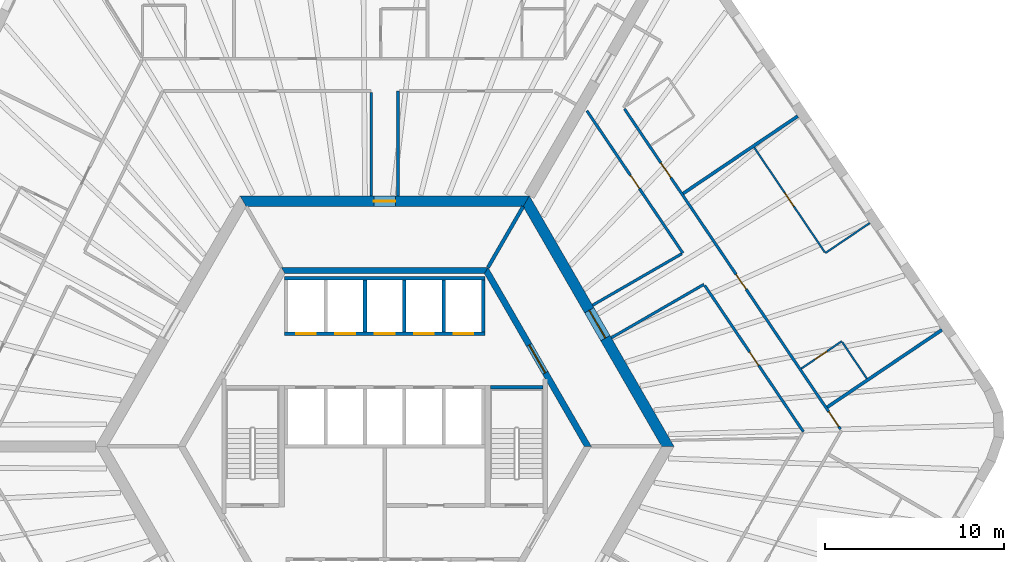
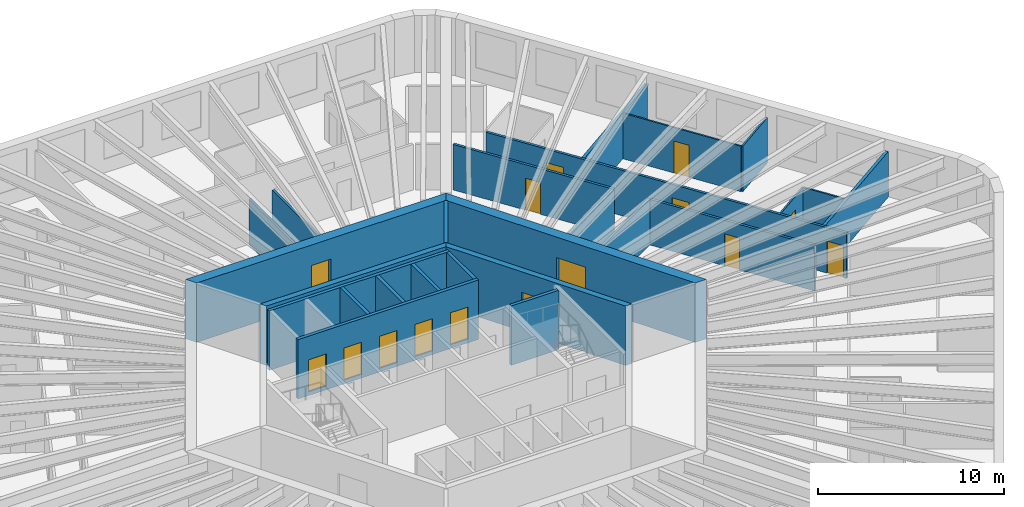
# One storey, part 9 of 12: 25 walls, 15 doors, 15 openings.
"""IFC4 building model written with IfcOpenShell, lengths in metres."""

from ifc_helpers import new_model, si_unit, direction, frame, frame_2d, origin, place, context, subcontext, project, spatial, polyline, rectangle, outline, extrude, material, layer, layer_set, type_object, element, fill, save


model = new_model("IFC4")

# Units and contexts
model_context = context("Model", 3, precision=1e-05, world=origin(), true_north=direction((0.0, 1.0)))
body_context = subcontext(model_context, "Body", "Model", "MODEL_VIEW")
ifc_project = project(units=[si_unit("LENGTHUNIT", "METRE"), si_unit("AREAUNIT", "SQUARE_METRE"), si_unit("VOLUMEUNIT", "CUBIC_METRE"), si_unit("PLANEANGLEUNIT", "RADIAN"), si_unit("MASSUNIT", "GRAM", prefix="KILO")], contexts=[model_context])

# Site, building, storey
site_placement = place(None, origin())
site = spatial("IfcSite", under=ifc_project, at=site_placement, CompositionType="ELEMENT")
building_placement = place(site_placement, origin())
building = spatial("IfcBuilding", under=site, at=building_placement, Name="Tarnside Tower", CompositionType="ELEMENT")
storey_placement = place(building_placement, frame((0.0, 0.0, 84.300048828125)))
storey = spatial("IfcBuildingStorey", under=building, at=storey_placement, Name="L18", CompositionType="ELEMENT", Elevation=84.300048828125)

# Wall, opening, door
ifc_material_1 = material(Name="Gypsum board partition on steel studs", Category="steel")
ifc_layer_1 = layer(ifc_material_1, 0.10009765625)
ifc_layer_set_1 = layer_set([ifc_layer_1], Name="Bathroom wall 100")
wall_type_1 = type_object("IfcWallType", Name="Bathroom wall 100", PredefinedType="PARTITIONING", material=ifc_layer_set_1)
wall_1_placement = place(storey_placement, frame((23.2734375, 4.34619140625, 0.0), z_axis=(0.0, 0.0, 1.0), x_axis=(0.829005477618, 0.559240483226, 0.0)))
wall_1 = element("IfcWall", 1, at=wall_1_placement, inside=storey, type_object=wall_type_1, Name="Bathroom wall 05150", PredefinedType="PARTITIONING", context=body_context, shape_type="SweptSolid", body=[
    extrude(rectangle(XDim=2.72509765625, YDim=0.10009765625, at=frame_2d((1.362548828125, 0.0))), origin(), (0.0, 0.0, 1.0), 2.98779296875),
])
opening_1_placement = place(wall_1_placement, frame((0.925048828125, 0.0, 0.0)))
opening_1 = element("IfcOpeningElement", 2, at=opening_1_placement, cuts=wall_1, Name="Opening D-B1", PredefinedType="OPENING", context=body_context, shape_type="SweptSolid", body=[
    extrude(rectangle(XDim=0.800048828125, YDim=2.10009765625, at=frame_2d((0.39990234375, 1.050048828125))), frame((0.0, 0.06005859375, 0.0), z_axis=(0.0, -1.0, 0.0), x_axis=(1.0, 0.0, 0.0)), (0.0, 0.0, 1.0), 0.1201171875),
])
ifc_material_2 = material(Name="Timber door leaf", Category="wood")
door_type_1 = type_object("IfcDoorType", Name="Bathroom door 800", OperationType="NOTDEFINED", PredefinedType="DOOR", material=ifc_material_2)
door_1_placement = place(opening_1_placement, origin())
door_1 = element("IfcDoor", 3, at=door_1_placement, inside=storey, type_object=door_type_1, Name="Bathroom door 05037", OperationType="SINGLE_SWING_RIGHT", OverallHeight=2.10009765625, OverallWidth=0.800048828125, PredefinedType="DOOR", context=body_context, shape_type="SweptSolid", body=[
    extrude(rectangle(XDim=0.800048828125, YDim=2.10009765625, at=frame_2d((0.39990234375, 1.050048828125))), frame((0.0, 0.02490234375, 0.0), z_axis=(0.0, -1.0, 0.0), x_axis=(1.0, 0.0, 0.0)), (0.0, 0.0, 1.0), 0.050048828125),
])
fill(opening_1, door_1)

# Wall
wall_2_placement = place(storey_placement, frame((25.560546875, 5.82861328125, 0.0), z_axis=(0.0, 0.0, 1.0), x_axis=(0.559249542518, -0.82899936622, 0.0)))
element("IfcWall", 4, at=wall_2_placement, inside=storey, type_object=wall_type_1, Name="Bathroom wall 05151", PredefinedType="PARTITIONING", context=body_context, shape_type="SweptSolid", body=[
    extrude(rectangle(XDim=2.4599609375, YDim=0.10009765625, at=frame_2d((1.22998046875, 0.0))), origin(), (0.0, 0.0, 1.0), 2.98779296875),
])

# Wall, opening, door
ifc_material_3 = material(Name="Concrete C50/60", Category="concrete")
ifc_layer_2 = layer(ifc_material_3, 0.35009765625)
ifc_layer_set_2 = layer_set([ifc_layer_2], Name="Core block wall 350 C50/60")
wall_type_2 = type_object("IfcWallType", Name="Core block wall 350 C50/60", PredefinedType="SHEAR", material=ifc_layer_set_2)
wall_3_placement = place(storey_placement, frame((11.344970703125, 0.0, -0.150146484375), z_axis=(0.0, 0.0, 1.0), x_axis=(-0.499995046907, 0.866028263435, 0.0)))
wall_3 = element("IfcWall", 5, at=wall_3_placement, inside=storey, type_object=wall_type_2, Name="L18 core block wall face 6", PredefinedType="SHEAR", context=body_context, shape_type="SweptSolid", body=[
    extrude(outline(polyline([(-0.10107421875, -0.175048828125), (11.44580078125, -0.175048828125), (11.24365234375, 0.175048828125), (0.10107421875, 0.175048828125), (-0.10107421875, -0.175048828125)])), origin(), (0.0, 0.0, 1.0), 3.900146484375),
])
opening_2_placement = place(wall_3_placement, frame((4.74365234375, 0.0, 0.14990234375)))
opening_2 = element("IfcOpeningElement", 6, at=opening_2_placement, cuts=wall_3, Name="Opening CD-LOB", PredefinedType="OPENING", context=body_context, shape_type="SweptSolid", body=[
    extrude(rectangle(XDim=1.800048828125, YDim=2.39990234375, at=frame_2d((0.89990234375, 1.199951171875))), frame((0.0, 0.18505859375, 0.0), z_axis=(0.0, -1.0, 0.0), x_axis=(1.0, 0.0, 0.0)), (0.0, 0.0, 1.0), 0.3701171875),
])
ifc_material_4 = material(Name="Steel fire door", Category="steel")
door_type_2 = type_object("IfcDoorType", Name="Lobby double door FD30S 1800x2400", OperationType="NOTDEFINED", PredefinedType="DOOR", material=ifc_material_4)
door_2_placement = place(opening_2_placement, origin())
door_2 = element("IfcDoor", 7, at=door_2_placement, inside=storey, type_object=door_type_2, Name="L18 lobby block door P2", OperationType="DOUBLE_DOOR_SINGLE_SWING", OverallHeight=2.39990234375, OverallWidth=1.800048828125, PredefinedType="DOOR", context=body_context, shape_type="SweptSolid", body=[
    extrude(rectangle(XDim=1.800048828125, YDim=2.39990234375, at=frame_2d((0.89990234375, 1.199951171875))), frame((0.0, 0.02490234375, 0.0), z_axis=(0.0, -1.0, 0.0), x_axis=(1.0, 0.0, 0.0)), (0.0, 0.0, 1.0), 0.050048828125),
])
fill(opening_2, door_2)

# Wall
wall_4_placement = place(storey_placement, frame((5.672607421875, 9.824951171875, -0.150146484375), z_axis=(0.0, 0.0, 1.0), x_axis=(-1.0, 0.0, 0.0)))
element("IfcWall", 8, at=wall_4_placement, inside=storey, type_object=wall_type_2, Name="L18 core block wall face 1", PredefinedType="SHEAR", context=body_context, shape_type="SweptSolid", body=[
    extrude(outline(polyline([(-0.10107421875, -0.175048828125), (11.4462890625, -0.175048828125), (11.244140625, 0.175048828125), (0.10107421875, 0.175048828125), (-0.10107421875, -0.175048828125)])), origin(), (0.0, 0.0, 1.0), 3.900146484375),
])

# Wall, opening, door
ifc_material_5 = material(Name="Concrete C80/95", Category="concrete")
ifc_layer_3 = layer(ifc_material_5, 0.60009765625)
ifc_layer_set_3 = layer_set([ifc_layer_3], Name="Core wall Z1 600 C80/95")
wall_type_3 = type_object("IfcWallType", Name="Core wall Z1 600 C80/95", PredefinedType="SHEAR", material=ifc_layer_set_3)
wall_5_placement = place(storey_placement, frame((15.8193359375, 0.0, -0.150146484375), z_axis=(0.0, 0.0, 1.0), x_axis=(-0.499999880136, 0.866025472988, 0.0)))
wall_5 = element("IfcWall", 9, at=wall_5_placement, inside=storey, type_object=wall_type_3, Name="L18 core wall face 6", PredefinedType="SHEAR", context=body_context, shape_type="SweptSolid", body=[
    extrude(outline(polyline([(-0.17333984375, -0.300048828125), (15.99267578125, -0.300048828125), (15.64599609375, 0.300048828125), (0.17333984375, 0.300048828125), (-0.17333984375, -0.300048828125)])), origin(), (0.0, 0.0, 1.0), 3.900146484375),
])
opening_3_placement = place(wall_5_placement, frame((6.980712890625, 0.0, 0.14990234375)))
opening_3 = element("IfcOpeningElement", 10, at=opening_3_placement, cuts=wall_5, Name="Opening CD-LOB", PredefinedType="OPENING", context=body_context, shape_type="SweptSolid", body=[
    extrude(rectangle(XDim=1.800048828125, YDim=2.39990234375, at=frame_2d((0.89990234375, 1.199951171875))), frame((0.0, 0.31005859375, 0.0), z_axis=(0.0, -1.0, 0.0), x_axis=(1.0, 0.0, 0.0)), (0.0, 0.0, 1.0), 0.6201171875),
])
door_3_placement = place(opening_3_placement, origin())
door_3 = element("IfcDoor", 11, at=door_3_placement, inside=storey, type_object=door_type_2, Name="L18 core door P2", OperationType="DOUBLE_DOOR_SINGLE_SWING", OverallHeight=2.39990234375, OverallWidth=1.800048828125, PredefinedType="DOOR", context=body_context, shape_type="SweptSolid", body=[
    extrude(rectangle(XDim=1.800048828125, YDim=2.39990234375, at=frame_2d((0.89990234375, 1.199951171875))), frame((0.0, 0.02490234375, 0.0), z_axis=(0.0, -1.0, 0.0), x_axis=(1.0, 0.0, 0.0)), (0.0, 0.0, 1.0), 0.050048828125),
])
fill(opening_3, door_3)

wall_6_placement = place(storey_placement, frame((7.90966796875, 13.699951171875, -0.150146484375), z_axis=(0.0, 0.0, 1.0), x_axis=(-1.0, 0.0, 0.0)))
wall_6 = element("IfcWall", 12, at=wall_6_placement, inside=storey, type_object=wall_type_3, Name="L18 core wall face 1", PredefinedType="SHEAR", context=body_context, shape_type="SweptSolid", body=[
    extrude(outline(polyline([(-0.17333984375, -0.300048828125), (15.99267578125, -0.300048828125), (15.64599609375, 0.300048828125), (0.17333984375, 0.300048828125), (-0.17333984375, -0.300048828125)])), origin(), (0.0, 0.0, 1.0), 3.900146484375),
])
opening_4_placement = place(wall_6_placement, frame((7.309814453125, 0.0, 0.14990234375)))
opening_4 = element("IfcOpeningElement", 13, at=opening_4_placement, cuts=wall_6, Name="Opening CD-RSR", PredefinedType="OPENING", context=body_context, shape_type="SweptSolid", body=[
    extrude(rectangle(XDim=1.199951171875, YDim=2.39990234375, at=frame_2d((0.60009765625, 1.199951171875))), frame((0.0, 0.31005859375, 0.0), z_axis=(0.0, -1.0, 0.0), x_axis=(1.0, 0.0, 0.0)), (0.0, 0.0, 1.0), 0.6201171875),
])
door_type_3 = type_object("IfcDoorType", Name="Riser door FD60 1200x2400", OperationType="NOTDEFINED", PredefinedType="DOOR", material=ifc_material_4)
door_4_placement = place(opening_4_placement, origin())
door_4 = element("IfcDoor", 14, at=door_4_placement, inside=storey, type_object=door_type_3, Name="L18 core door S5", OperationType="SINGLE_SWING_LEFT", OverallHeight=2.39990234375, OverallWidth=1.199951171875, PredefinedType="DOOR", context=body_context, shape_type="SweptSolid", body=[
    extrude(rectangle(XDim=1.199951171875, YDim=2.39990234375, at=frame_2d((0.60009765625, 1.199951171875))), frame((0.0, 0.02490234375, 0.0), z_axis=(0.0, -1.0, 0.0), x_axis=(1.0, 0.0, 0.0)), (0.0, 0.0, 1.0), 0.050048828125),
])
fill(opening_4, door_4)

# Walls
ifc_layer_4 = layer(ifc_material_1, 0.14990234375)
ifc_layer_set_4 = layer_set([ifc_layer_4], Name="Corridor wall 150 EI 60")
wall_type_4 = type_object("IfcWallType", Name="Corridor wall 150 EI 60", PredefinedType="PARTITIONING", material=ifc_layer_set_4)
wall_7_placement = place(storey_placement, frame((-0.75, 19.77490234375, 0.0), z_axis=(0.0, 0.0, 1.0), x_axis=(0.0, -1.0, 0.0)))
element("IfcWall", 15, at=wall_7_placement, inside=storey, type_object=wall_type_4, Name="Corridor wall 05019", PredefinedType="PARTITIONING", context=body_context, shape_type="SweptSolid", body=[
    extrude(rectangle(XDim=5.77490234375, YDim=0.14990234375, at=frame_2d((2.887451171875, 0.0))), origin(), (0.0, 0.0, 1.0), 2.98779296875),
])
wall_8_placement = place(storey_placement, frame((0.75, 14.0, 0.0), z_axis=(0.0, 0.0, 1.0), x_axis=(0.0, 1.0, 0.0)))
element("IfcWall", 16, at=wall_8_placement, inside=storey, type_object=wall_type_4, Name="Corridor wall 05022", PredefinedType="PARTITIONING", context=body_context, shape_type="SweptSolid", body=[
    extrude(rectangle(XDim=5.85009765625, YDim=0.14990234375, at=frame_2d((2.925048828125, 0.0))), origin(), (0.0, 0.0, 1.0), 2.98779296875),
])

# Wall, openings, doors
wall_9_placement = place(storey_placement, frame((25.467041015625, 0.960205078125, 0.0), z_axis=(0.0, 0.0, 1.0), x_axis=(-0.559192112521, 0.829038106057, 0.0)))
wall_9 = element("IfcWall", 17, at=wall_9_placement, inside=storey, type_object=wall_type_4, Name="Corridor wall 05062", PredefinedType="PARTITIONING", context=body_context, shape_type="SweptSolid", body=[
    extrude(rectangle(XDim=21.58447265625, YDim=0.14990234375, at=frame_2d((10.792236328125, 0.0))), origin(), (0.0, 0.0, 1.0), 2.98779296875),
])
opening_5_placement = place(wall_9_placement, frame((0.183837890625, 0.0, 0.0)))
opening_5 = element("IfcOpeningElement", 18, at=opening_5_placement, cuts=wall_9, Name="Opening D-E1", PredefinedType="OPENING", context=body_context, shape_type="SweptSolid", body=[
    extrude(rectangle(XDim=1.0, YDim=2.10009765625, at=frame_2d((0.5, 1.050048828125))), frame((0.0, 0.0849609375, 0.0), z_axis=(0.0, -1.0, 0.0), x_axis=(1.0, 0.0, 0.0)), (0.0, 0.0, 1.0), 0.169921875),
])
opening_6_placement = place(wall_9_placement, frame((9.433837890625, 0.0, 0.0)))
opening_6 = element("IfcOpeningElement", 19, at=opening_6_placement, cuts=wall_9, Name="Opening D-E1", PredefinedType="OPENING", context=body_context, shape_type="SweptSolid", body=[
    extrude(rectangle(XDim=1.0, YDim=2.10009765625, at=frame_2d((0.5, 1.050048828125))), frame((0.0, 0.0849609375, 0.0), z_axis=(0.0, -1.0, 0.0), x_axis=(1.0, 0.0, 0.0)), (0.0, 0.0, 1.0), 0.169921875),
])
opening_7_placement = place(wall_9_placement, frame((16.950927734375, 0.0, 0.0)))
opening_7 = element("IfcOpeningElement", 20, at=opening_7_placement, cuts=wall_9, Name="Opening D-E1", PredefinedType="OPENING", context=body_context, shape_type="SweptSolid", body=[
    extrude(rectangle(XDim=1.0, YDim=2.10009765625, at=frame_2d((0.5, 1.050048828125))), frame((0.0, 0.0849609375, 0.0), z_axis=(0.0, -1.0, 0.0), x_axis=(1.0, 0.0, 0.0)), (0.0, 0.0, 1.0), 0.169921875),
])
door_type_4 = type_object("IfcDoorType", Name="Unit entrance door 1000 FD30S", OperationType="NOTDEFINED", PredefinedType="DOOR", material=ifc_material_2)
door_5_placement = place(opening_5_placement, origin())
door_5 = element("IfcDoor", 21, at=door_5_placement, inside=storey, type_object=door_type_4, Name="Unit door 05035", OperationType="SINGLE_SWING_RIGHT", OverallHeight=2.10009765625, OverallWidth=1.0, PredefinedType="DOOR", context=body_context, shape_type="SweptSolid", body=[
    extrude(rectangle(XDim=1.0, YDim=2.10009765625, at=frame_2d((0.5, 1.050048828125))), frame((0.0, 0.02490234375, 0.0), z_axis=(0.0, -1.0, 0.0), x_axis=(1.0, 0.0, 0.0)), (0.0, 0.0, 1.0), 0.050048828125),
])
fill(opening_5, door_5)
door_6_placement = place(opening_6_placement, origin())
door_6 = element("IfcDoor", 22, at=door_6_placement, inside=storey, type_object=door_type_4, Name="Unit door 05036", OperationType="SINGLE_SWING_LEFT", OverallHeight=2.10009765625, OverallWidth=1.0, PredefinedType="DOOR", context=body_context, shape_type="SweptSolid", body=[
    extrude(rectangle(XDim=1.0, YDim=2.10009765625, at=frame_2d((0.5, 1.050048828125))), frame((0.0, 0.02490234375, 0.0), z_axis=(0.0, -1.0, 0.0), x_axis=(1.0, 0.0, 0.0)), (0.0, 0.0, 1.0), 0.050048828125),
])
fill(opening_6, door_6)
door_7_placement = place(opening_7_placement, origin())
door_7 = element("IfcDoor", 23, at=door_7_placement, inside=storey, type_object=door_type_4, Name="Unit door 05039", OperationType="SINGLE_SWING_RIGHT", OverallHeight=2.10009765625, OverallWidth=1.0, PredefinedType="DOOR", context=body_context, shape_type="SweptSolid", body=[
    extrude(rectangle(XDim=1.0, YDim=2.10009765625, at=frame_2d((0.5, 1.050048828125))), frame((0.0, 0.02490234375, 0.0), z_axis=(0.0, -1.0, 0.0), x_axis=(1.0, 0.0, 0.0)), (0.0, 0.0, 1.0), 0.050048828125),
])
fill(opening_7, door_7)

# Wall
wall_10_placement = place(storey_placement, frame((12.663818359375, 6.065673828125, 0.0), z_axis=(0.0, 0.0, 1.0), x_axis=(0.866018848283, 0.500011354289, 0.0)))
element("IfcWall", 24, at=wall_10_placement, inside=storey, type_object=wall_type_4, Name="Corridor wall 05071", PredefinedType="PARTITIONING", context=body_context, shape_type="SweptSolid", body=[
    extrude(rectangle(XDim=5.973876953125, YDim=0.14990234375, at=frame_2d((2.98681640625, 0.0))), origin(), (0.0, 0.0, 1.0), 2.98779296875),
])

# Wall, opening, door
wall_11_placement = place(storey_placement, frame((17.87939453125, 8.990234375, 0.0), z_axis=(0.0, 0.0, 1.0), x_axis=(0.559189565351, -0.829039824136, 0.0)))
wall_11 = element("IfcWall", 25, at=wall_11_placement, inside=storey, type_object=wall_type_4, Name="Corridor wall 05072", PredefinedType="PARTITIONING", context=body_context, shape_type="SweptSolid", body=[
    extrude(rectangle(XDim=9.85888671875, YDim=0.14990234375, at=frame_2d((4.929443359375, 0.0))), origin(), (0.0, 0.0, 1.0), 2.98779296875),
])
opening_8_placement = place(wall_11_placement, frame((4.4794921875, 0.0, 0.0)))
opening_8 = element("IfcOpeningElement", 26, at=opening_8_placement, cuts=wall_11, Name="Opening D-S1", PredefinedType="OPENING", context=body_context, shape_type="SweptSolid", body=[
    extrude(rectangle(XDim=0.89990234375, YDim=2.10009765625, at=frame_2d((0.449951171875, 1.050048828125))), frame((0.0, 0.0849609375, 0.0), z_axis=(0.0, -1.0, 0.0), x_axis=(1.0, 0.0, 0.0)), (0.0, 0.0, 1.0), 0.169921875),
])
door_type_5 = type_object("IfcDoorType", Name="Service room door 900 FD30S", OperationType="NOTDEFINED", PredefinedType="DOOR", material=ifc_material_2)
door_8_placement = place(opening_8_placement, origin())
door_8 = element("IfcDoor", 27, at=door_8_placement, inside=storey, type_object=door_type_5, Name="Service door 05050", OperationType="SINGLE_SWING_RIGHT", OverallHeight=2.10009765625, OverallWidth=0.89990234375, PredefinedType="DOOR", context=body_context, shape_type="SweptSolid", body=[
    extrude(rectangle(XDim=0.89990234375, YDim=2.10009765625, at=frame_2d((0.449951171875, 1.050048828125))), frame((0.0, 0.02490234375, 0.0), z_axis=(0.0, -1.0, 0.0), x_axis=(1.0, 0.0, 0.0)), (0.0, 0.0, 1.0), 0.050048828125),
])
fill(opening_8, door_8)

wall_12_placement = place(storey_placement, frame((11.297607421875, 18.748046875, 0.0), z_axis=(0.0, 0.0, 1.0), x_axis=(0.559198234291, -0.829033976847, 0.0)))
wall_12 = element("IfcWall", 28, at=wall_12_placement, inside=storey, type_object=wall_type_4, Name="Corridor wall 05077", PredefinedType="PARTITIONING", context=body_context, shape_type="SweptSolid", body=[
    extrude(rectangle(XDim=9.589599609375, YDim=0.14990234375, at=frame_2d((4.794921875, 0.0))), origin(), (0.0, 0.0, 1.0), 2.98779296875),
])
opening_9_placement = place(wall_12_placement, frame((4.3447265625, 0.0, 0.0)))
opening_9 = element("IfcOpeningElement", 29, at=opening_9_placement, cuts=wall_12, Name="Opening D-S1", PredefinedType="OPENING", context=body_context, shape_type="SweptSolid", body=[
    extrude(rectangle(XDim=0.89990234375, YDim=2.10009765625, at=frame_2d((0.449951171875, 1.050048828125))), frame((0.0, 0.0849609375, 0.0), z_axis=(0.0, -1.0, 0.0), x_axis=(1.0, 0.0, 0.0)), (0.0, 0.0, 1.0), 0.169921875),
])
door_9_placement = place(opening_9_placement, origin())
door_9 = element("IfcDoor", 30, at=door_9_placement, inside=storey, type_object=door_type_5, Name="Service door 05052", OperationType="SINGLE_SWING_RIGHT", OverallHeight=2.10009765625, OverallWidth=0.89990234375, PredefinedType="DOOR", context=body_context, shape_type="SweptSolid", body=[
    extrude(rectangle(XDim=0.89990234375, YDim=2.10009765625, at=frame_2d((0.449951171875, 1.050048828125))), frame((0.0, 0.02490234375, 0.0), z_axis=(0.0, -1.0, 0.0), x_axis=(1.0, 0.0, 0.0)), (0.0, 0.0, 1.0), 0.050048828125),
])
fill(opening_9, door_9)

# Walls
wall_13_placement = place(storey_placement, frame((16.594970703125, 10.76025390625, 0.0), z_axis=(0.0, 0.0, 1.0), x_axis=(-0.866019477104, -0.500010265171, 0.0)))
element("IfcWall", 31, at=wall_13_placement, inside=storey, type_object=wall_type_4, Name="Corridor wall 05078", PredefinedType="PARTITIONING", context=body_context, shape_type="SweptSolid", body=[
    extrude(rectangle(XDim=5.751953125, YDim=0.14990234375, at=frame_2d((2.8759765625, 0.0))), origin(), (0.0, 0.0, 1.0), 2.98779296875),
])
ifc_layer_5 = layer(ifc_material_1, 0.179931640625)
ifc_layer_set_5 = layer_set([ifc_layer_5], Name="Demising wall 180 EI 60")
wall_type_5 = type_object("IfcWallType", Name="Demising wall 180 EI 60", PredefinedType="PARTITIONING", material=ifc_layer_set_5)
wall_14_placement = place(storey_placement, frame((31.131591796875, 6.510498046875, 0.0), z_axis=(0.0, 0.0, 1.0), x_axis=(-0.829047937134, -0.559177537043, 0.0)))
element("IfcWall", 32, at=wall_14_placement, inside=storey, type_object=wall_type_5, Name="Demising wall 05148", PredefinedType="PARTITIONING", context=body_context, shape_type="SweptSolid", body=[
    extrude(rectangle(XDim=7.724853515625, YDim=0.179931640625, at=frame_2d((3.8623046875, 0.0))), origin(), (0.0, 0.0, 1.0), 2.98779296875),
])
wall_15_placement = place(storey_placement, frame((23.079345703125, 18.44873046875, 0.0), z_axis=(0.0, 0.0, 1.0), x_axis=(-0.82903328576, -0.559199258853, 0.0)))
element("IfcWall", 33, at=wall_15_placement, inside=storey, type_object=wall_type_5, Name="Demising wall 05154", PredefinedType="PARTITIONING", context=body_context, shape_type="SweptSolid", body=[
    extrude(rectangle(XDim=7.72509765625, YDim=0.179931640625, at=frame_2d((3.862548828125, 0.0))), origin(), (0.0, 0.0, 1.0), 2.98779296875),
])

# Wall, openings, doors
ifc_material_6 = material(Name="Concrete C40/50", Category="concrete")
ifc_layer_6 = layer(ifc_material_6, 0.199951171875)
ifc_layer_set_6 = layer_set([ifc_layer_6], Name="Lift shaft wall 200 C40/50")
wall_type_6 = type_object("IfcWallType", Name="Lift shaft wall 200 C40/50", PredefinedType="SHEAR", material=ifc_layer_set_6)
wall_16_placement = place(storey_placement, frame((-5.60009765625, 6.300048828125, -0.25), z_axis=(0.0, 0.0, 1.0), x_axis=(1.0, 0.0, 0.0)))
wall_16 = element("IfcWall", 34, at=wall_16_placement, inside=storey, type_object=wall_type_6, Name="L18 lift shaft front wall R1", PredefinedType="SHEAR", context=body_context, shape_type="SweptSolid", body=[
    extrude(rectangle(XDim=11.2001953125, YDim=0.199951171875, at=frame_2d((5.60009765625, 0.0))), origin(), (0.0, 0.0, 1.0), 3.89990234375),
])
opening_10_placement = place(wall_16_placement, frame((0.64990234375, 0.0, 0.25)))
opening_10 = element("IfcOpeningElement", 35, at=opening_10_placement, cuts=wall_16, Name="Opening LD", PredefinedType="OPENING", context=body_context, shape_type="SweptSolid", body=[
    extrude(rectangle(XDim=1.10009765625, YDim=2.10009765625, at=frame_2d((0.550048828125, 1.050048828125))), frame((0.0, 0.10986328125, 0.0), z_axis=(0.0, -1.0, 0.0), x_axis=(1.0, 0.0, 0.0)), (0.0, 0.0, 1.0), 0.219970703125),
])
opening_11_placement = place(wall_16_placement, frame((2.85009765625, 0.0, 0.25)))
opening_11 = element("IfcOpeningElement", 36, at=opening_11_placement, cuts=wall_16, Name="Opening LD", PredefinedType="OPENING", context=body_context, shape_type="SweptSolid", body=[
    extrude(rectangle(XDim=1.10009765625, YDim=2.10009765625, at=frame_2d((0.550048828125, 1.050048828125))), frame((0.0, 0.10986328125, 0.0), z_axis=(0.0, -1.0, 0.0), x_axis=(1.0, 0.0, 0.0)), (0.0, 0.0, 1.0), 0.219970703125),
])
opening_12_placement = place(wall_16_placement, frame((5.050048828125, 0.0, 0.25)))
opening_12 = element("IfcOpeningElement", 37, at=opening_12_placement, cuts=wall_16, Name="Opening LD", PredefinedType="OPENING", context=body_context, shape_type="SweptSolid", body=[
    extrude(rectangle(XDim=1.10009765625, YDim=2.10009765625, at=frame_2d((0.550048828125, 1.050048828125))), frame((0.0, 0.10986328125, 0.0), z_axis=(0.0, -1.0, 0.0), x_axis=(1.0, 0.0, 0.0)), (0.0, 0.0, 1.0), 0.219970703125),
])
opening_13_placement = place(wall_16_placement, frame((7.25, 0.0, 0.25)))
opening_13 = element("IfcOpeningElement", 38, at=opening_13_placement, cuts=wall_16, Name="Opening LD", PredefinedType="OPENING", context=body_context, shape_type="SweptSolid", body=[
    extrude(rectangle(XDim=1.10009765625, YDim=2.10009765625, at=frame_2d((0.550048828125, 1.050048828125))), frame((0.0, 0.10986328125, 0.0), z_axis=(0.0, -1.0, 0.0), x_axis=(1.0, 0.0, 0.0)), (0.0, 0.0, 1.0), 0.219970703125),
])
opening_14_placement = place(wall_16_placement, frame((9.449951171875, 0.0, 0.25)))
opening_14 = element("IfcOpeningElement", 39, at=opening_14_placement, cuts=wall_16, Name="Opening LD", PredefinedType="OPENING", context=body_context, shape_type="SweptSolid", body=[
    extrude(rectangle(XDim=1.10009765625, YDim=2.10009765625, at=frame_2d((0.550048828125, 1.050048828125))), frame((0.0, 0.10986328125, 0.0), z_axis=(0.0, -1.0, 0.0), x_axis=(1.0, 0.0, 0.0)), (0.0, 0.0, 1.0), 0.219970703125),
])
ifc_material_7 = material(Name="Stainless steel", Category="steel")
door_type_6 = type_object("IfcDoorType", Name="Lift landing door 1100x2100", OperationType="NOTDEFINED", PredefinedType="DOOR", material=ifc_material_7)
door_10_placement = place(opening_10_placement, origin())
door_10 = element("IfcDoor", 40, at=door_10_placement, inside=storey, type_object=door_type_6, Name="Low-rise lift 1 landing door L18", OperationType="SLIDING_TO_LEFT", OverallHeight=2.10009765625, OverallWidth=1.10009765625, PredefinedType="DOOR", context=body_context, shape_type="SweptSolid", body=[
    extrude(rectangle(XDim=1.10009765625, YDim=2.10009765625, at=frame_2d((0.550048828125, 1.050048828125))), frame((0.0, 0.02490234375, 0.0), z_axis=(0.0, -1.0, 0.0), x_axis=(1.0, 0.0, 0.0)), (0.0, 0.0, 1.0), 0.050048828125),
])
fill(opening_10, door_10)
door_11_placement = place(opening_11_placement, origin())
door_11 = element("IfcDoor", 41, at=door_11_placement, inside=storey, type_object=door_type_6, Name="Low-rise lift 2 landing door L18", OperationType="SLIDING_TO_LEFT", OverallHeight=2.10009765625, OverallWidth=1.10009765625, PredefinedType="DOOR", context=body_context, shape_type="SweptSolid", body=[
    extrude(rectangle(XDim=1.10009765625, YDim=2.10009765625, at=frame_2d((0.550048828125, 1.050048828125))), frame((0.0, 0.02490234375, 0.0), z_axis=(0.0, -1.0, 0.0), x_axis=(1.0, 0.0, 0.0)), (0.0, 0.0, 1.0), 0.050048828125),
])
fill(opening_11, door_11)
door_12_placement = place(opening_12_placement, origin())
door_12 = element("IfcDoor", 42, at=door_12_placement, inside=storey, type_object=door_type_6, Name="Low-rise lift 3 landing door L18", OperationType="SLIDING_TO_LEFT", OverallHeight=2.10009765625, OverallWidth=1.10009765625, PredefinedType="DOOR", context=body_context, shape_type="SweptSolid", body=[
    extrude(rectangle(XDim=1.10009765625, YDim=2.10009765625, at=frame_2d((0.550048828125, 1.050048828125))), frame((0.0, 0.02490234375, 0.0), z_axis=(0.0, -1.0, 0.0), x_axis=(1.0, 0.0, 0.0)), (0.0, 0.0, 1.0), 0.050048828125),
])
fill(opening_12, door_12)
door_13_placement = place(opening_13_placement, origin())
door_13 = element("IfcDoor", 43, at=door_13_placement, inside=storey, type_object=door_type_6, Name="Low sky-lobby shuttle 1 landing door L18", OperationType="SLIDING_TO_LEFT", OverallHeight=2.10009765625, OverallWidth=1.10009765625, PredefinedType="DOOR", context=body_context, shape_type="SweptSolid", body=[
    extrude(rectangle(XDim=1.10009765625, YDim=2.10009765625, at=frame_2d((0.550048828125, 1.050048828125))), frame((0.0, 0.02490234375, 0.0), z_axis=(0.0, -1.0, 0.0), x_axis=(1.0, 0.0, 0.0)), (0.0, 0.0, 1.0), 0.050048828125),
])
fill(opening_13, door_13)
door_14_placement = place(opening_14_placement, origin())
door_14 = element("IfcDoor", 44, at=door_14_placement, inside=storey, type_object=door_type_6, Name="Low sky-lobby shuttle 2 landing door L18", OperationType="SLIDING_TO_LEFT", OverallHeight=2.10009765625, OverallWidth=1.10009765625, PredefinedType="DOOR", context=body_context, shape_type="SweptSolid", body=[
    extrude(rectangle(XDim=1.10009765625, YDim=2.10009765625, at=frame_2d((0.550048828125, 1.050048828125))), frame((0.0, 0.02490234375, 0.0), z_axis=(0.0, -1.0, 0.0), x_axis=(1.0, 0.0, 0.0)), (0.0, 0.0, 1.0), 0.050048828125),
])
fill(opening_14, door_14)

# Walls
wall_17_placement = place(storey_placement, frame((-5.60009765625, 9.39990234375, -0.25), z_axis=(0.0, 0.0, 1.0), x_axis=(1.0, 0.0, 0.0)))
element("IfcWall", 45, at=wall_17_placement, inside=storey, type_object=wall_type_6, Name="L18 lift shaft back wall R1", PredefinedType="SHEAR", context=body_context, shape_type="SweptSolid", body=[
    extrude(rectangle(XDim=11.2001953125, YDim=0.199951171875, at=frame_2d((5.60009765625, 0.0))), origin(), (0.0, 0.0, 1.0), 3.89990234375),
])
for number, where, z_axis, x_axis, name in (
    (46, (-1.10009765625, 6.39990234375, -0.25), (0.0, 0.0, 1.0), (0.0, 1.0, 0.0), "L18 lift shaft partition R13"),
    (47, (1.10009765625, 6.39990234375, -0.25), (0.0, 0.0, 1.0), (0.0, 1.0, 0.0), "L18 lift shaft partition R14"),
    (48, (3.300048828125, 6.39990234375, -0.25), (0.0, 0.0, 1.0), (0.0, 1.0, 0.0), "L18 lift shaft partition R15"),
    (49, (5.5, 6.39990234375, -0.25), (0.0, 0.0, 1.0), (0.0, 1.0, 0.0), "L18 lift shaft partition R16"),
):
    element("IfcWall", number, at=place(storey_placement, frame(where, z_axis=z_axis, x_axis=x_axis)), inside=storey, type_object=wall_type_6, Name=name, PredefinedType="SHEAR", context=body_context, shape_type="SweptSolid", body=[
        extrude(rectangle(XDim=2.900146484375, YDim=0.199951171875, at=frame_2d((1.4501953125, 0.0))), origin(), (0.0, 0.0, 1.0), 3.89990234375),
    ])
wall_18_placement = place(storey_placement, frame((5.7734375, 10.0, -0.150146484375), z_axis=(0.0, 0.0, 1.0), x_axis=(0.500038251005, 0.86600331843, 0.0)))
element("IfcWall", 50, at=wall_18_placement, inside=storey, type_object=wall_type_6, Name="L18 core partition AR60", PredefinedType="SHEAR", context=body_context, shape_type="SweptSolid", body=[
    extrude(rectangle(XDim=3.926025390625, YDim=0.199951171875, at=frame_2d((1.962890625, 0.0))), origin(), (0.0, 0.0, 1.0), 3.900146484375),
])
wall_19_placement = place(storey_placement, frame((5.89990234375, 3.300048828125, -0.25), z_axis=(0.0, 0.0, 1.0), x_axis=(1.0, 0.0, 0.0)))
element("IfcWall", 51, at=wall_19_placement, inside=storey, type_object=wall_type_6, Name="L18 stair 1 enclosure cap wall n", PredefinedType="SHEAR", context=body_context, shape_type="SweptSolid", body=[
    extrude(rectangle(XDim=2.9501953125, YDim=0.199951171875, at=frame_2d((1.47509765625, 0.0))), origin(), (0.0, 0.0, 1.0), 3.89990234375),
])
ifc_layer_7 = layer(ifc_material_1, 0.10009765625)
ifc_layer_set_7 = layer_set([ifc_layer_7], Name="Partition 100")
wall_type_7 = type_object("IfcWallType", Name="Partition 100", PredefinedType="PARTITIONING", material=ifc_layer_set_7)
wall_20_placement = place(storey_placement, frame((27.10546875, 12.479736328125, 0.0), z_axis=(0.0, 0.0, 1.0), x_axis=(-0.829008079006, -0.559236626968, 0.0)))
element("IfcWall", 52, at=wall_20_placement, inside=storey, type_object=wall_type_7, Name="Partition wall 05152", PredefinedType="PARTITIONING", context=body_context, shape_type="SweptSolid", body=[
    extrude(rectangle(XDim=3.0, YDim=0.10009765625, at=frame_2d((1.5, 0.0))), origin(), (0.0, 0.0, 1.0), 2.98779296875),
])

# Wall, opening, door
wall_21_placement = place(storey_placement, frame((24.59033203125, 10.843505859375, 0.0), z_axis=(0.0, 0.0, 1.0), x_axis=(-0.559177045947, 0.829048268369, 0.0)))
wall_21 = element("IfcWall", 53, at=wall_21_placement, inside=storey, type_object=wall_type_7, Name="Partition wall 05153", PredefinedType="PARTITIONING", context=body_context, shape_type="SweptSolid", body=[
    extrude(rectangle(XDim=7.059814453125, YDim=0.10009765625, at=frame_2d((3.52978515625, 0.0))), origin(), (0.0, 0.0, 1.0), 2.98779296875),
])
opening_15_placement = place(wall_21_placement, frame((3.10009765625, 0.0, 0.0)))
opening_15 = element("IfcOpeningElement", 54, at=opening_15_placement, cuts=wall_21, Name="Opening D-I1", PredefinedType="OPENING", context=body_context, shape_type="SweptSolid", body=[
    extrude(rectangle(XDim=0.89990234375, YDim=2.10009765625, at=frame_2d((0.449951171875, 1.050048828125))), frame((0.0, 0.06005859375, 0.0), z_axis=(0.0, -1.0, 0.0), x_axis=(1.0, 0.0, 0.0)), (0.0, 0.0, 1.0), 0.1201171875),
])
door_type_7 = type_object("IfcDoorType", Name="Internal door 900", OperationType="NOTDEFINED", PredefinedType="DOOR", material=ifc_material_2)
door_15_placement = place(opening_15_placement, origin())
door_15 = element("IfcDoor", 55, at=door_15_placement, inside=storey, type_object=door_type_7, Name="Internal door 05038", OperationType="SINGLE_SWING_RIGHT", OverallHeight=2.10009765625, OverallWidth=0.89990234375, PredefinedType="DOOR", context=body_context, shape_type="SweptSolid", body=[
    extrude(rectangle(XDim=0.89990234375, YDim=2.10009765625, at=frame_2d((0.449951171875, 1.050048828125))), frame((0.0, 0.02490234375, 0.0), z_axis=(0.0, -1.0, 0.0), x_axis=(1.0, 0.0, 0.0)), (0.0, 0.0, 1.0), 0.050048828125),
])
fill(opening_15, door_15)

save(model, "model.ifc")
